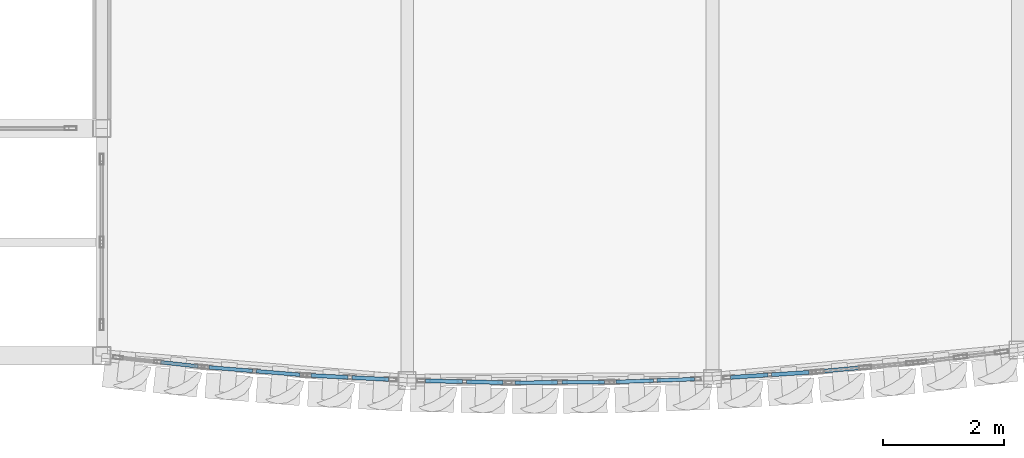
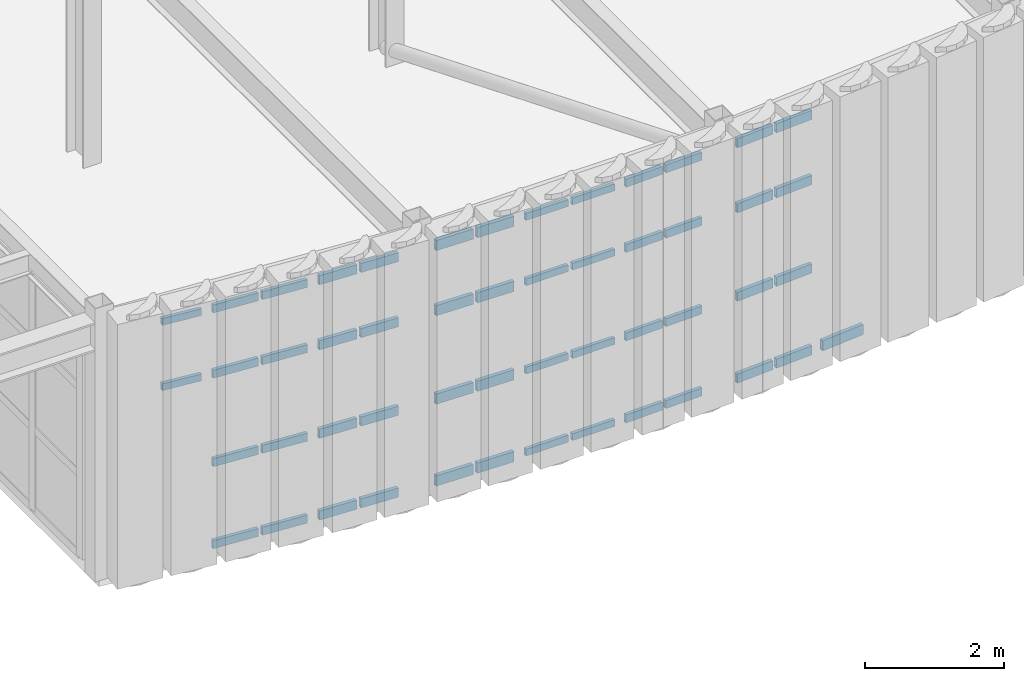
# One storey, part 69 of 121: 51 members, 8 elements without a shape of their own.
"""IFC4 building model written with IfcOpenShell, lengths in metres."""

import ifcopenshell
import ifcopenshell.guid

model = None  # the IFC model being written
_history = None  # IfcOwnerHistory: only IFC2X3 demands one
_inside = {}  # id of a spatial element -> (the spatial element, [elements in it])
_under = {}  # id of a project, library or spatial element -> (it, [spatial elements below it])
_declared = {}  # id of a project -> (the project, [libraries it declares])
_typed = {}  # id of a type object -> (the type object, [elements of that type])
_made_of = {}  # id of a material, layer set ... -> (it, [elements and type objects made of it])


def new_model(schema):
    """Start an empty IFC model of exactly this schema.

    Asked for "IFC4X3", IfcOpenShell would pick the latest addendum, in which some entities
    have other attributes; the version numbers below select the first issue.
    IFC2X3 requires an IfcOwnerHistory on every rooted entity: one is made here for all.
    """
    global model, _history
    if schema == "IFC4X3":
        model = ifcopenshell.file(schema_version=(4, 3, 0, 0))
    else:
        model = ifcopenshell.file(schema=schema)
    _inside.clear()
    _under.clear()
    _declared.clear()
    _typed.clear()
    _made_of.clear()
    _history = None
    if model.schema == "IFC2X3":
        org = make("IfcOrganization", Name="unknown")
        user = make(
            "IfcPersonAndOrganization",
            ThePerson=make("IfcPerson", FamilyName="unknown"),
            TheOrganization=org,
        )
        app = make(
            "IfcApplication",
            ApplicationDeveloper=org,
            Version="unknown",
            ApplicationFullName="unknown",
            ApplicationIdentifier="unknown",
        )
        _history = make(
            "IfcOwnerHistory",
            OwningUser=user,
            OwningApplication=app,
            ChangeAction="ADDED",
            CreationDate=0,
        )
    return model


def make(cls, **values):
    """One entity of the class cls with the attributes given. An attribute that is None is left unset."""
    return model.create_entity(
        cls, **{name: value for name, value in values.items() if value is not None}
    )


def rooted(cls, **values):
    """An entity with a GlobalId (a new one), such as an element, a storey or a relation."""
    return make(cls, GlobalId=ifcopenshell.guid.new(), OwnerHistory=_history, **values)


def si_unit(unit_type, name, prefix=None):
    """IfcSIUnit, for example si_unit("LENGTHUNIT", "METRE", prefix="MILLI")."""
    return make("IfcSIUnit", UnitType=unit_type, Prefix=prefix, Name=name)


def assignment(units):
    """IfcUnitAssignment: the units of a project."""
    return None if units is None else make("IfcUnitAssignment", Units=units)


def point(xyz):
    """IfcCartesianPoint."""
    return None if xyz is None else make("IfcCartesianPoint", Coordinates=xyz)


def direction(xyz):
    """IfcDirection."""
    return None if xyz is None else make("IfcDirection", DirectionRatios=xyz)


def frame(location, z_axis=None, x_axis=None):
    """IfcAxis2Placement3D, a coordinate frame: its origin and axes. An axis left out is left unset."""
    return make(
        "IfcAxis2Placement3D",
        Location=point(location),
        Axis=direction(z_axis),
        RefDirection=direction(x_axis),
    )


def frame_2d(location, x_axis=None):
    """IfcAxis2Placement2D, a coordinate frame in the plane: its origin and x axis."""
    return make(
        "IfcAxis2Placement2D", Location=point(location), RefDirection=direction(x_axis)
    )


def origin():
    """The frame at (0, 0, 0) with its axes left unset."""
    return frame((0.0, 0.0, 0.0))


def origin_2d():
    """The frame at (0, 0) in the plane with its x axis left unset."""
    return frame_2d((0.0, 0.0))


def place(relative_to, where):
    """IfcLocalPlacement: puts the frame where relative to a parent placement (None: the world)."""
    return make(
        "IfcLocalPlacement", PlacementRelTo=relative_to, RelativePlacement=where
    )


def context(
    kind, dimensions, precision=None, world=None, true_north=None, identifier=None
):
    """IfcGeometricRepresentationContext, for example the 3D "Model" context."""
    return make(
        "IfcGeometricRepresentationContext",
        ContextIdentifier=identifier,
        ContextType=kind,
        CoordinateSpaceDimension=dimensions,
        Precision=precision,
        WorldCoordinateSystem=world,
        TrueNorth=true_north,
    )


def subcontext(parent, identifier, kind, view, scale=None):
    """IfcGeometricRepresentationSubContext, for example "Body" below "Model"."""
    return make(
        "IfcGeometricRepresentationSubContext",
        ContextIdentifier=identifier,
        ContextType=kind,
        ParentContext=parent,
        TargetScale=scale,
        TargetView=view,
    )


def project(units=None, contexts=None):
    """IfcProject with its units and contexts."""
    return rooted(
        "IfcProject",
        Name="project",
        RepresentationContexts=contexts,
        UnitsInContext=assignment(units),
    )


def spatial(cls, under=None, at=None, **own):
    """A site, building, storey or space (cls), placed at a placement, below another one or the project."""
    s = rooted(cls, ObjectPlacement=at, **own)
    if under is not None:
        _under.setdefault(under.id(), (under, []))[1].append(s)
    return s


def profile(cls, at=None, kind="AREA", **sizes):
    """A parametric profile (cls). Its sizes go by their IFC names, for example OverallWidth=200.0."""
    return make(cls, ProfileType=kind, Position=at, **sizes)


def hollow_rectangle(**sizes):
    """IfcRectangleHollowProfileDef."""
    return profile("IfcRectangleHollowProfileDef", **sizes)


def extrude(swept, where, along, depth):
    """IfcExtrudedAreaSolid: the profile swept, set in the frame where, extruded along a direction by depth."""
    return make(
        "IfcExtrudedAreaSolid",
        SweptArea=swept,
        Position=where,
        ExtrudedDirection=direction(along),
        Depth=depth,
    )


def shape(context_of_items, identifier, shape_type, items):
    """IfcShapeRepresentation: the items that make up one representation, for example the "Body"."""
    return make(
        "IfcShapeRepresentation",
        ContextOfItems=context_of_items,
        RepresentationIdentifier=identifier,
        RepresentationType=shape_type,
        Items=items,
    )


def material(Name=None, Category=None):
    """IfcMaterial."""
    return make("IfcMaterial", Name=Name, Category=Category)


def layer(
    of_material, thickness, ventilated=None, Name=None, Category=None, Priority=None
):
    """IfcMaterialLayer: one layer of a wall or slab, of a material (None: an air gap)."""
    return make(
        "IfcMaterialLayer",
        Material=of_material,
        LayerThickness=thickness,
        IsVentilated=ventilated,
        Name=Name,
        Category=Category,
        Priority=Priority,
    )


def layer_set(layers, Name=None):
    """IfcMaterialLayerSet."""
    return make("IfcMaterialLayerSet", MaterialLayers=layers, LayerSetName=Name)


def material_profile(
    of_material, cross_section, Name=None, Category=None, Priority=None
):
    """IfcMaterialProfile: a cross section and its material."""
    return make(
        "IfcMaterialProfile",
        Name=Name,
        Material=of_material,
        Profile=cross_section,
        Priority=Priority,
        Category=Category,
    )


def profile_set(profiles, Name=None, composite=None):
    """IfcMaterialProfileSet."""
    return make(
        "IfcMaterialProfileSet",
        Name=Name,
        MaterialProfiles=profiles,
        CompositeProfile=composite,
    )


def made_of(thing, what):
    """Note that an element or type object is made of a material, layer set ...; save() writes the relation."""
    if what is not None:
        _made_of.setdefault(what.id(), (what, []))[1].append(thing)
    return thing


def type_object(cls, material=None, **own):
    """A type object (cls), such as IfcWallType, which elements share."""
    return made_of(rooted(cls, **own), material)


def element(
    cls,
    number,
    at=None,
    inside=None,
    cuts=None,
    type_object=None,
    material=None,
    context=None,
    identifier="Body",
    shape_type=None,
    held_by="IfcProductDefinitionShape",
    body=None,
    shapes=None,
    **own,
):
    """One element of the class cls, such as IfcWall. Its Tag is "e" and its number.

    at: its placement. inside: the storey or other place that contains it. cuts: it is an
    opening in that element (IfcRelVoidsElement). A single representation is given by context,
    identifier, shape_type and body (its items); several are given by shapes. held_by: the class
    of the entity that holds the representations. save() writes the other relations.
    """
    e = rooted(cls, Tag="e%d" % number, ObjectPlacement=at, **own)
    if body is not None:
        shapes = [shape(context, identifier, shape_type, body)]
    if shapes is not None:
        e.Representation = make(held_by, Representations=shapes)
    if inside is not None:
        _inside.setdefault(inside.id(), (inside, []))[1].append(e)
    if cuts is not None:
        rooted(
            "IfcRelVoidsElement", RelatingBuildingElement=cuts, RelatedOpeningElement=e
        )
    if type_object is not None:
        _typed.setdefault(type_object.id(), (type_object, []))[1].append(e)
    return made_of(e, material)


def aggregate(whole, parts):
    """IfcRelAggregates: a whole, such as a stair, and the parts it consists of."""
    return rooted("IfcRelAggregates", RelatingObject=whole, RelatedObjects=parts)


def save(model, path):
    """Write the relations noted so far, then the file.

    IfcRelAggregates (storeys below a building ...), IfcRelContainedInSpatialStructure (elements
    in a storey), IfcRelDefinesByType, IfcRelAssociatesMaterial and IfcRelDeclares: one each for
    every whole, place, type object, material and project.
    """
    for whole, parts in _under.values():
        aggregate(whole, parts)
    for where, things in _inside.values():
        rooted(
            "IfcRelContainedInSpatialStructure",
            RelatedElements=things,
            RelatingStructure=where,
        )
    for kind, things in _typed.values():
        rooted("IfcRelDefinesByType", RelatedObjects=things, RelatingType=kind)
    for what, things in _made_of.values():
        rooted("IfcRelAssociatesMaterial", RelatedObjects=things, RelatingMaterial=what)
    for by, libraries in _declared.values():
        rooted("IfcRelDeclares", RelatingContext=by, RelatedDefinitions=libraries)
    model.write(path)


model = new_model("IFC4")

# Units and contexts
model_context = context("Model", 3, precision=1e-05, world=origin(), true_north=direction((0.0, 1.0)))
body_context = subcontext(model_context, "Body", "Model", "MODEL_VIEW")
ifc_project = project(units=[si_unit("LENGTHUNIT", "METRE"), si_unit("AREAUNIT", "SQUARE_METRE"), si_unit("VOLUMEUNIT", "CUBIC_METRE"), si_unit("PLANEANGLEUNIT", "RADIAN"), si_unit("MASSUNIT", "GRAM", prefix="KILO")], contexts=[model_context])

# Site, building, storey
site_placement = place(None, origin())
site = spatial("IfcSite", under=ifc_project, at=site_placement, CompositionType="ELEMENT")
building_placement = place(site_placement, origin())
building = spatial("IfcBuilding", under=site, at=building_placement, Name="Solvadek Multi-Sports Hall", CompositionType="ELEMENT")
storey_placement = place(building_placement, frame((0.0, 0.0, 4.800048828125)))
storey = spatial("IfcBuildingStorey", under=building, at=storey_placement, Name="L01", CompositionType="ELEMENT", Elevation=4.800048828125)

# Curtain wall, members
ifc_material = material(Name="Anodised aluminium", Category="aluminium")
ifc_layer_1 = layer(ifc_material, 0.159912109375, Name="Anodised aluminium")
ifc_layer_set_1 = layer_set([ifc_layer_1], Name="Anodised aluminium")
curtain_wall_type_1 = type_object("IfcCurtainWallType", Name="ENV-CW-142X420", PredefinedType="USERDEFINED", material=ifc_layer_set_1)
curtain_wall_1_placement = place(storey_placement, origin())
curtain_wall_1 = element("IfcCurtainWall", 1, at=curtain_wall_1_placement, inside=storey, type_object=curtain_wall_type_1, Name="L01 Crescent Curved Curtain Wall #55", ObjectType="CURTAIN WALL", PredefinedType="USERDEFINED")
ifc_material_profile_1 = material_profile(ifc_material, hollow_rectangle(XDim=0.06005859375, YDim=0.1201171875, WallThickness=0.00390625, at=origin_2d()), Name="ALU-T 120x60x4")
ifc_profile_set_1 = profile_set([ifc_material_profile_1], Name="Anodised aluminium")
member_type_1 = type_object("IfcMemberType", Name="ENV-CWT-01", PredefinedType="USERDEFINED", material=ifc_profile_set_1)
member_1_placement = place(storey_placement, frame((87.374267578125, -12.85986328125, 3.02392578125), z_axis=(0.993988937438, -0.109480556501, 0.0), x_axis=(0.109480556501, 0.993988937438, 0.0)))
member_1 = element("IfcMember", 2, at=member_1_placement, type_object=member_type_1, Name="CW-27 transom 2.3", ObjectType="TRANSOM", PredefinedType="USERDEFINED", context=body_context, shape_type="SweptSolid", body=[
    extrude(hollow_rectangle(XDim=0.06005859375, YDim=0.1201171875, WallThickness=0.00390625, at=origin_2d()), origin(), (0.0, 0.0, 1.0), 0.619873046875),
])
member_2_placement = place(storey_placement, frame((87.374267578125, -12.85986328125, 4.169921875), z_axis=(0.993988937438, -0.109480556501, 0.0), x_axis=(0.109480556501, 0.993988937438, 0.0)))
member_2 = element("IfcMember", 3, at=member_2_placement, type_object=member_type_1, Name="CW-27 transom 2.4", ObjectType="TRANSOM", PredefinedType="USERDEFINED", context=body_context, shape_type="SweptSolid", body=[
    extrude(hollow_rectangle(XDim=0.06005859375, YDim=0.1201171875, WallThickness=0.00390625, at=origin_2d()), origin(), (0.0, 0.0, 1.0), 0.619873046875),
])
aggregate(curtain_wall_1, [member_1, member_2])

ifc_layer_2 = layer(ifc_material, 0.159912109375, Name="Anodised aluminium")
ifc_layer_set_2 = layer_set([ifc_layer_2], Name="Anodised aluminium")
curtain_wall_type_2 = type_object("IfcCurtainWallType", Name="ENV-CW-162X420", PredefinedType="USERDEFINED", material=ifc_layer_set_2)
curtain_wall_2_placement = place(storey_placement, origin())
curtain_wall_2 = element("IfcCurtainWall", 4, at=curtain_wall_2_placement, inside=storey, type_object=curtain_wall_type_2, Name="L01 Crescent Curved Curtain Wall #63", ObjectType="CURTAIN WALL", PredefinedType="USERDEFINED")
member_3_placement = place(storey_placement, frame((93.219970703125, -13.197265625, 0.030029296875), z_axis=(0.999982675441, 0.005886324613, 0.0), x_axis=(-0.005886324613, 0.999982675441, 0.0)))
member_3 = element("IfcMember", 5, at=member_3_placement, type_object=member_type_1, Name="CW-29 transom 1.1", ObjectType="TRANSOM", PredefinedType="USERDEFINED", context=body_context, shape_type="SweptSolid", body=[
    extrude(hollow_rectangle(XDim=0.06005859375, YDim=0.1201171875, WallThickness=0.00390625, at=origin_2d()), origin(), (0.0, 0.0, 1.0), 0.705078125),
])
member_4_placement = place(storey_placement, frame((93.219970703125, -13.197265625, 1.469970703125), z_axis=(0.999982675441, 0.005886324613, 0.0), x_axis=(-0.005886324613, 0.999982675441, 0.0)))
member_4 = element("IfcMember", 6, at=member_4_placement, type_object=member_type_1, Name="CW-29 transom 1.2", ObjectType="TRANSOM", PredefinedType="USERDEFINED", context=body_context, shape_type="SweptSolid", body=[
    extrude(hollow_rectangle(XDim=0.06005859375, YDim=0.1201171875, WallThickness=0.00390625, at=origin_2d()), origin(), (0.0, 0.0, 1.0), 0.705078125),
])
member_5_placement = place(storey_placement, frame((93.219970703125, -13.197265625, 3.02392578125), z_axis=(0.999982675441, 0.005886324613, 0.0), x_axis=(-0.005886324613, 0.999982675441, 0.0)))
member_5 = element("IfcMember", 7, at=member_5_placement, type_object=member_type_1, Name="CW-29 transom 1.3", ObjectType="TRANSOM", PredefinedType="USERDEFINED", context=body_context, shape_type="SweptSolid", body=[
    extrude(hollow_rectangle(XDim=0.06005859375, YDim=0.1201171875, WallThickness=0.00390625, at=origin_2d()), origin(), (0.0, 0.0, 1.0), 0.705078125),
])
member_6_placement = place(storey_placement, frame((93.219970703125, -13.197265625, 4.169921875), z_axis=(0.999982675441, 0.005886324613, 0.0), x_axis=(-0.005886324613, 0.999982675441, 0.0)))
member_6 = element("IfcMember", 8, at=member_6_placement, type_object=member_type_1, Name="CW-29 transom 1.4", ObjectType="TRANSOM", PredefinedType="USERDEFINED", context=body_context, shape_type="SweptSolid", body=[
    extrude(hollow_rectangle(XDim=0.06005859375, YDim=0.1201171875, WallThickness=0.00390625, at=origin_2d()), origin(), (0.0, 0.0, 1.0), 0.705078125),
])
member_7_placement = place(storey_placement, frame((93.9951171875, -13.192626953125, 0.030029296875), z_axis=(0.999980563915, 0.00623472468, 0.0), x_axis=(-0.00623472468, 0.999980563915, 0.0)))
member_7 = element("IfcMember", 9, at=member_7_placement, type_object=member_type_1, Name="CW-29 transom 2.1", ObjectType="TRANSOM", PredefinedType="USERDEFINED", context=body_context, shape_type="SweptSolid", body=[
    extrude(hollow_rectangle(XDim=0.06005859375, YDim=0.1201171875, WallThickness=0.00390625, at=origin_2d()), origin(), (0.0, 0.0, 1.0), 0.704833984375),
])
member_8_placement = place(storey_placement, frame((93.9951171875, -13.192626953125, 1.469970703125), z_axis=(0.999980563915, 0.00623472468, 0.0), x_axis=(-0.00623472468, 0.999980563915, 0.0)))
member_8 = element("IfcMember", 10, at=member_8_placement, type_object=member_type_1, Name="CW-29 transom 2.2", ObjectType="TRANSOM", PredefinedType="USERDEFINED", context=body_context, shape_type="SweptSolid", body=[
    extrude(hollow_rectangle(XDim=0.06005859375, YDim=0.1201171875, WallThickness=0.00390625, at=origin_2d()), origin(), (0.0, 0.0, 1.0), 0.704833984375),
])
member_9_placement = place(storey_placement, frame((93.9951171875, -13.192626953125, 3.02392578125), z_axis=(0.999980563915, 0.00623472468, 0.0), x_axis=(-0.00623472468, 0.999980563915, 0.0)))
member_9 = element("IfcMember", 11, at=member_9_placement, type_object=member_type_1, Name="CW-29 transom 2.3", ObjectType="TRANSOM", PredefinedType="USERDEFINED", context=body_context, shape_type="SweptSolid", body=[
    extrude(hollow_rectangle(XDim=0.06005859375, YDim=0.1201171875, WallThickness=0.00390625, at=origin_2d()), origin(), (0.0, 0.0, 1.0), 0.704833984375),
])
member_10_placement = place(storey_placement, frame((93.9951171875, -13.192626953125, 4.169921875), z_axis=(0.999980563915, 0.00623472468, 0.0), x_axis=(-0.00623472468, 0.999980563915, 0.0)))
member_10 = element("IfcMember", 12, at=member_10_placement, type_object=member_type_1, Name="CW-29 transom 2.4", ObjectType="TRANSOM", PredefinedType="USERDEFINED", context=body_context, shape_type="SweptSolid", body=[
    extrude(hollow_rectangle(XDim=0.06005859375, YDim=0.1201171875, WallThickness=0.00390625, at=origin_2d()), origin(), (0.0, 0.0, 1.0), 0.704833984375),
])
aggregate(curtain_wall_2, [member_3, member_4, member_5, member_6, member_7, member_8, member_9, member_10])

ifc_layer_3 = layer(ifc_material, 0.159912109375, Name="Anodised aluminium")
ifc_layer_set_3 = layer_set([ifc_layer_3], Name="Anodised aluminium")
curtain_wall_type_3 = type_object("IfcCurtainWallType", Name="ENV-CW-163X420", PredefinedType="USERDEFINED", material=ifc_layer_set_3)
curtain_wall_3_placement = place(storey_placement, origin())
curtain_wall_3 = element("IfcCurtainWall", 13, at=curtain_wall_3_placement, inside=storey, type_object=curtain_wall_type_3, Name="L01 Crescent Curved Curtain Wall #57", ObjectType="CURTAIN WALL", PredefinedType="USERDEFINED")
ifc_material_profile_2 = material_profile(ifc_material, hollow_rectangle(XDim=0.06005859375, YDim=0.139892578125, WallThickness=0.00390625, at=origin_2d()), Name="ALU-T 140x60x4")
ifc_profile_set_2 = profile_set([ifc_material_profile_2], Name="Anodised aluminium")
member_type_2 = type_object("IfcMemberType", Name="ENV-CWT-02", PredefinedType="USERDEFINED", material=ifc_profile_set_2)
member_11_placement = place(storey_placement, frame((88.169677734375, -12.94482421875, 0.030029296875), z_axis=(0.996763518487, -0.080389602643, 0.0), x_axis=(0.080389602643, 0.996763518487, 0.0)))
member_11 = element("IfcMember", 14, at=member_11_placement, type_object=member_type_2, Name="CW-15 transom 1.1", ObjectType="TRANSOM", PredefinedType="USERDEFINED", context=body_context, shape_type="SweptSolid", body=[
    extrude(hollow_rectangle(XDim=0.06005859375, YDim=0.139892578125, WallThickness=0.00390625, at=origin_2d()), origin(), (0.0, 0.0, 1.0), 0.722900390625),
])
member_12_placement = place(storey_placement, frame((88.169677734375, -12.94482421875, 1.469970703125), z_axis=(0.996763518487, -0.080389602643, 0.0), x_axis=(0.080389602643, 0.996763518487, 0.0)))
member_12 = element("IfcMember", 15, at=member_12_placement, type_object=member_type_2, Name="CW-15 transom 1.2", ObjectType="TRANSOM", PredefinedType="USERDEFINED", context=body_context, shape_type="SweptSolid", body=[
    extrude(hollow_rectangle(XDim=0.06005859375, YDim=0.139892578125, WallThickness=0.00390625, at=origin_2d()), origin(), (0.0, 0.0, 1.0), 0.722900390625),
])
member_13_placement = place(storey_placement, frame((88.169677734375, -12.94482421875, 3.02392578125), z_axis=(0.996763518487, -0.080389602643, 0.0), x_axis=(0.080389602643, 0.996763518487, 0.0)))
member_13 = element("IfcMember", 16, at=member_13_placement, type_object=member_type_2, Name="CW-15 transom 1.3", ObjectType="TRANSOM", PredefinedType="USERDEFINED", context=body_context, shape_type="SweptSolid", body=[
    extrude(hollow_rectangle(XDim=0.06005859375, YDim=0.139892578125, WallThickness=0.00390625, at=origin_2d()), origin(), (0.0, 0.0, 1.0), 0.722900390625),
])
member_14_placement = place(storey_placement, frame((88.169677734375, -12.94482421875, 4.169921875), z_axis=(0.996763518487, -0.080389602643, 0.0), x_axis=(0.080389602643, 0.996763518487, 0.0)))
member_14 = element("IfcMember", 17, at=member_14_placement, type_object=member_type_2, Name="CW-15 transom 1.4", ObjectType="TRANSOM", PredefinedType="USERDEFINED", context=body_context, shape_type="SweptSolid", body=[
    extrude(hollow_rectangle(XDim=0.06005859375, YDim=0.139892578125, WallThickness=0.00390625, at=origin_2d()), origin(), (0.0, 0.0, 1.0), 0.722900390625),
])
member_15_placement = place(storey_placement, frame((88.949951171875, -13.0078125, 0.030029296875), z_axis=(0.996763518487, -0.080389602643, 0.0), x_axis=(0.080389602643, 0.996763518487, 0.0)))
member_15 = element("IfcMember", 18, at=member_15_placement, type_object=member_type_2, Name="CW-15 transom 2.1", ObjectType="TRANSOM", PredefinedType="USERDEFINED", context=body_context, shape_type="SweptSolid", body=[
    extrude(hollow_rectangle(XDim=0.06005859375, YDim=0.139892578125, WallThickness=0.00390625, at=origin_2d()), origin(), (0.0, 0.0, 1.0), 0.722900390625),
])
member_16_placement = place(storey_placement, frame((88.949951171875, -13.0078125, 1.469970703125), z_axis=(0.996763518487, -0.080389602643, 0.0), x_axis=(0.080389602643, 0.996763518487, 0.0)))
member_16 = element("IfcMember", 19, at=member_16_placement, type_object=member_type_2, Name="CW-15 transom 2.2", ObjectType="TRANSOM", PredefinedType="USERDEFINED", context=body_context, shape_type="SweptSolid", body=[
    extrude(hollow_rectangle(XDim=0.06005859375, YDim=0.139892578125, WallThickness=0.00390625, at=origin_2d()), origin(), (0.0, 0.0, 1.0), 0.722900390625),
])
member_17_placement = place(storey_placement, frame((88.949951171875, -13.0078125, 3.02392578125), z_axis=(0.996763518487, -0.080389602643, 0.0), x_axis=(0.080389602643, 0.996763518487, 0.0)))
member_17 = element("IfcMember", 20, at=member_17_placement, type_object=member_type_2, Name="CW-15 transom 2.3", ObjectType="TRANSOM", PredefinedType="USERDEFINED", context=body_context, shape_type="SweptSolid", body=[
    extrude(hollow_rectangle(XDim=0.06005859375, YDim=0.139892578125, WallThickness=0.00390625, at=origin_2d()), origin(), (0.0, 0.0, 1.0), 0.722900390625),
])
member_18_placement = place(storey_placement, frame((88.949951171875, -13.0078125, 4.169921875), z_axis=(0.996763518487, -0.080389602643, 0.0), x_axis=(0.080389602643, 0.996763518487, 0.0)))
member_18 = element("IfcMember", 21, at=member_18_placement, type_object=member_type_2, Name="CW-15 transom 2.4", ObjectType="TRANSOM", PredefinedType="USERDEFINED", context=body_context, shape_type="SweptSolid", body=[
    extrude(hollow_rectangle(XDim=0.06005859375, YDim=0.139892578125, WallThickness=0.00390625, at=origin_2d()), origin(), (0.0, 0.0, 1.0), 0.722900390625),
])
aggregate(curtain_wall_3, [member_11, member_12, member_13, member_14, member_15, member_16, member_17, member_18])

ifc_layer_4 = layer(ifc_material, 0.159912109375, Name="Anodised aluminium")
ifc_layer_set_4 = layer_set([ifc_layer_4], Name="Anodised aluminium")
curtain_wall_type_4 = type_object("IfcCurtainWallType", Name="ENV-CW-141X420", PredefinedType="USERDEFINED", material=ifc_layer_set_4)
curtain_wall_4_placement = place(storey_placement, origin())
curtain_wall_4 = element("IfcCurtainWall", 22, at=curtain_wall_4_placement, inside=storey, type_object=curtain_wall_type_4, Name="L01 Crescent Curved Curtain Wall #65", ObjectType="CURTAIN WALL", PredefinedType="USERDEFINED")
member_19_placement = place(storey_placement, frame((94.889892578125, -13.184326171875, 0.030029296875), z_axis=(0.99939083171, 0.034899362377, 0.0), x_axis=(-0.034899362377, 0.99939083171, 0.0)))
member_19 = element("IfcMember", 23, at=member_19_placement, type_object=member_type_2, Name="CW-28 transom 1.1", ObjectType="TRANSOM", PredefinedType="USERDEFINED", context=body_context, shape_type="SweptSolid", body=[
    extrude(hollow_rectangle(XDim=0.06005859375, YDim=0.139892578125, WallThickness=0.00390625, at=origin_2d()), origin(), (0.0, 0.0, 1.0), 0.61572265625),
])
member_20_placement = place(storey_placement, frame((94.889892578125, -13.184326171875, 1.469970703125), z_axis=(0.99939083171, 0.034899362377, 0.0), x_axis=(-0.034899362377, 0.99939083171, 0.0)))
member_20 = element("IfcMember", 24, at=member_20_placement, type_object=member_type_2, Name="CW-28 transom 1.2", ObjectType="TRANSOM", PredefinedType="USERDEFINED", context=body_context, shape_type="SweptSolid", body=[
    extrude(hollow_rectangle(XDim=0.06005859375, YDim=0.139892578125, WallThickness=0.00390625, at=origin_2d()), origin(), (0.0, 0.0, 1.0), 0.61572265625),
])
member_21_placement = place(storey_placement, frame((94.889892578125, -13.184326171875, 3.02392578125), z_axis=(0.99939083171, 0.034899362377, 0.0), x_axis=(-0.034899362377, 0.99939083171, 0.0)))
member_21 = element("IfcMember", 25, at=member_21_placement, type_object=member_type_2, Name="CW-28 transom 1.3", ObjectType="TRANSOM", PredefinedType="USERDEFINED", context=body_context, shape_type="SweptSolid", body=[
    extrude(hollow_rectangle(XDim=0.06005859375, YDim=0.139892578125, WallThickness=0.00390625, at=origin_2d()), origin(), (0.0, 0.0, 1.0), 0.61572265625),
])
member_22_placement = place(storey_placement, frame((94.889892578125, -13.184326171875, 4.169921875), z_axis=(0.99939083171, 0.034899362377, 0.0), x_axis=(-0.034899362377, 0.99939083171, 0.0)))
member_22 = element("IfcMember", 26, at=member_22_placement, type_object=member_type_2, Name="CW-28 transom 1.4", ObjectType="TRANSOM", PredefinedType="USERDEFINED", context=body_context, shape_type="SweptSolid", body=[
    extrude(hollow_rectangle(XDim=0.06005859375, YDim=0.139892578125, WallThickness=0.00390625, at=origin_2d()), origin(), (0.0, 0.0, 1.0), 0.61572265625),
])
member_23_placement = place(storey_placement, frame((95.56494140625, -13.16064453125, 0.030029296875), z_axis=(0.99939083171, 0.034899362377, 0.0), x_axis=(-0.034899362377, 0.99939083171, 0.0)))
member_23 = element("IfcMember", 27, at=member_23_placement, type_object=member_type_2, Name="CW-28 transom 2.1", ObjectType="TRANSOM", PredefinedType="USERDEFINED", context=body_context, shape_type="SweptSolid", body=[
    extrude(hollow_rectangle(XDim=0.06005859375, YDim=0.139892578125, WallThickness=0.00390625, at=origin_2d()), origin(), (0.0, 0.0, 1.0), 0.61572265625),
])
member_24_placement = place(storey_placement, frame((95.56494140625, -13.16064453125, 1.469970703125), z_axis=(0.99939083171, 0.034899362377, 0.0), x_axis=(-0.034899362377, 0.99939083171, 0.0)))
member_24 = element("IfcMember", 28, at=member_24_placement, type_object=member_type_2, Name="CW-28 transom 2.2", ObjectType="TRANSOM", PredefinedType="USERDEFINED", context=body_context, shape_type="SweptSolid", body=[
    extrude(hollow_rectangle(XDim=0.06005859375, YDim=0.139892578125, WallThickness=0.00390625, at=origin_2d()), origin(), (0.0, 0.0, 1.0), 0.61572265625),
])
member_25_placement = place(storey_placement, frame((95.56494140625, -13.16064453125, 3.02392578125), z_axis=(0.99939083171, 0.034899362377, 0.0), x_axis=(-0.034899362377, 0.99939083171, 0.0)))
member_25 = element("IfcMember", 29, at=member_25_placement, type_object=member_type_2, Name="CW-28 transom 2.3", ObjectType="TRANSOM", PredefinedType="USERDEFINED", context=body_context, shape_type="SweptSolid", body=[
    extrude(hollow_rectangle(XDim=0.06005859375, YDim=0.139892578125, WallThickness=0.00390625, at=origin_2d()), origin(), (0.0, 0.0, 1.0), 0.61572265625),
])
member_26_placement = place(storey_placement, frame((95.56494140625, -13.16064453125, 4.169921875), z_axis=(0.99939083171, 0.034899362377, 0.0), x_axis=(-0.034899362377, 0.99939083171, 0.0)))
member_26 = element("IfcMember", 30, at=member_26_placement, type_object=member_type_2, Name="CW-28 transom 2.4", ObjectType="TRANSOM", PredefinedType="USERDEFINED", context=body_context, shape_type="SweptSolid", body=[
    extrude(hollow_rectangle(XDim=0.06005859375, YDim=0.139892578125, WallThickness=0.00390625, at=origin_2d()), origin(), (0.0, 0.0, 1.0), 0.61572265625),
])
aggregate(curtain_wall_4, [member_19, member_20, member_21, member_22, member_23, member_24, member_25, member_26])

curtain_wall_5_placement = place(storey_placement, origin())
curtain_wall_5 = element("IfcCurtainWall", 31, at=curtain_wall_5_placement, inside=storey, type_object=curtain_wall_type_4, Name="L01 Crescent Curved Curtain Wall #59", ObjectType="CURTAIN WALL", PredefinedType="USERDEFINED")
ifc_material_profile_3 = material_profile(ifc_material, hollow_rectangle(XDim=0.06494140625, YDim=0.159912109375, WallThickness=0.00390625, at=origin_2d()), Name="ALU-T 160x65x4")
ifc_profile_set_3 = profile_set([ifc_material_profile_3], Name="Anodised aluminium")
member_type_3 = type_object("IfcMemberType", Name="ENV-CWT-03", PredefinedType="USERDEFINED", material=ifc_profile_set_3)
member_27_placement = place(storey_placement, frame((89.85498046875, -13.078125, 0.032470703125), z_axis=(0.99868028616, -0.051358407645, 0.0), x_axis=(0.051358407645, 0.99868028616, 0.0)))
member_27 = element("IfcMember", 32, at=member_27_placement, type_object=member_type_3, Name="CW-28 transom 1.1", ObjectType="TRANSOM", PredefinedType="USERDEFINED", context=body_context, shape_type="SweptSolid", body=[
    extrude(hollow_rectangle(XDim=0.06494140625, YDim=0.159912109375, WallThickness=0.00390625, at=origin_2d()), origin(), (0.0, 0.0, 1.0), 0.6083984375),
])
member_28_placement = place(storey_placement, frame((89.85498046875, -13.078125, 1.469970703125), z_axis=(0.99868028616, -0.051358407645, 0.0), x_axis=(0.051358407645, 0.99868028616, 0.0)))
member_28 = element("IfcMember", 33, at=member_28_placement, type_object=member_type_3, Name="CW-28 transom 1.2", ObjectType="TRANSOM", PredefinedType="USERDEFINED", context=body_context, shape_type="SweptSolid", body=[
    extrude(hollow_rectangle(XDim=0.06494140625, YDim=0.159912109375, WallThickness=0.00390625, at=origin_2d()), origin(), (0.0, 0.0, 1.0), 0.6083984375),
])
member_29_placement = place(storey_placement, frame((89.85498046875, -13.078125, 3.02392578125), z_axis=(0.99868028616, -0.051358407645, 0.0), x_axis=(0.051358407645, 0.99868028616, 0.0)))
member_29 = element("IfcMember", 34, at=member_29_placement, type_object=member_type_3, Name="CW-28 transom 1.3", ObjectType="TRANSOM", PredefinedType="USERDEFINED", context=body_context, shape_type="SweptSolid", body=[
    extrude(hollow_rectangle(XDim=0.06494140625, YDim=0.159912109375, WallThickness=0.00390625, at=origin_2d()), origin(), (0.0, 0.0, 1.0), 0.6083984375),
])
member_30_placement = place(storey_placement, frame((89.85498046875, -13.078125, 4.16748046875), z_axis=(0.99868028616, -0.051358407645, 0.0), x_axis=(0.051358407645, 0.99868028616, 0.0)))
member_30 = element("IfcMember", 35, at=member_30_placement, type_object=member_type_3, Name="CW-28 transom 1.4", ObjectType="TRANSOM", PredefinedType="USERDEFINED", context=body_context, shape_type="SweptSolid", body=[
    extrude(hollow_rectangle(XDim=0.06494140625, YDim=0.159912109375, WallThickness=0.00390625, at=origin_2d()), origin(), (0.0, 0.0, 1.0), 0.6083984375),
])
member_31_placement = place(storey_placement, frame((90.527587890625, -13.11279296875, 0.032470703125), z_axis=(0.998681343863, -0.05133783615, 0.0), x_axis=(0.05133783615, 0.998681343863, 0.0)))
member_31 = element("IfcMember", 36, at=member_31_placement, type_object=member_type_3, Name="CW-28 transom 2.1", ObjectType="TRANSOM", PredefinedType="USERDEFINED", context=body_context, shape_type="SweptSolid", body=[
    extrude(hollow_rectangle(XDim=0.06494140625, YDim=0.159912109375, WallThickness=0.00390625, at=origin_2d()), origin(), (0.0, 0.0, 1.0), 0.608642578125),
])
member_32_placement = place(storey_placement, frame((90.527587890625, -13.11279296875, 1.469970703125), z_axis=(0.998681343863, -0.05133783615, 0.0), x_axis=(0.05133783615, 0.998681343863, 0.0)))
member_32 = element("IfcMember", 37, at=member_32_placement, type_object=member_type_3, Name="CW-28 transom 2.2", ObjectType="TRANSOM", PredefinedType="USERDEFINED", context=body_context, shape_type="SweptSolid", body=[
    extrude(hollow_rectangle(XDim=0.06494140625, YDim=0.159912109375, WallThickness=0.00390625, at=origin_2d()), origin(), (0.0, 0.0, 1.0), 0.608642578125),
])
member_33_placement = place(storey_placement, frame((90.527587890625, -13.11279296875, 3.02392578125), z_axis=(0.998681343863, -0.05133783615, 0.0), x_axis=(0.05133783615, 0.998681343863, 0.0)))
member_33 = element("IfcMember", 38, at=member_33_placement, type_object=member_type_3, Name="CW-28 transom 2.3", ObjectType="TRANSOM", PredefinedType="USERDEFINED", context=body_context, shape_type="SweptSolid", body=[
    extrude(hollow_rectangle(XDim=0.06494140625, YDim=0.159912109375, WallThickness=0.00390625, at=origin_2d()), origin(), (0.0, 0.0, 1.0), 0.608642578125),
])
member_34_placement = place(storey_placement, frame((90.527587890625, -13.11279296875, 4.16748046875), z_axis=(0.998681343863, -0.05133783615, 0.0), x_axis=(0.05133783615, 0.998681343863, 0.0)))
member_34 = element("IfcMember", 39, at=member_34_placement, type_object=member_type_3, Name="CW-28 transom 2.4", ObjectType="TRANSOM", PredefinedType="USERDEFINED", context=body_context, shape_type="SweptSolid", body=[
    extrude(hollow_rectangle(XDim=0.06494140625, YDim=0.159912109375, WallThickness=0.00390625, at=origin_2d()), origin(), (0.0, 0.0, 1.0), 0.608642578125),
])
aggregate(curtain_wall_5, [member_27, member_28, member_29, member_30, member_31, member_32, member_33, member_34])

curtain_wall_6_placement = place(storey_placement, origin())
curtain_wall_6 = element("IfcCurtainWall", 40, at=curtain_wall_6_placement, inside=storey, type_object=curtain_wall_type_4, Name="L01 Crescent Curved Curtain Wall #67", ObjectType="CURTAIN WALL", PredefinedType="USERDEFINED")
member_35_placement = place(storey_placement, frame((96.779296875, -13.109619140625, 0.032470703125), z_axis=(0.997941684913, 0.064127946432, 0.0), x_axis=(-0.064127946432, 0.997941684913, 0.0)))
member_35 = element("IfcMember", 41, at=member_35_placement, type_object=member_type_3, Name="CW-28 transom 1.1", ObjectType="TRANSOM", PredefinedType="USERDEFINED", context=body_context, shape_type="SweptSolid", body=[
    extrude(hollow_rectangle(XDim=0.06494140625, YDim=0.159912109375, WallThickness=0.00390625, at=origin_2d()), origin(), (0.0, 0.0, 1.0), 0.61669921875),
])
member_36_placement = place(storey_placement, frame((96.779296875, -13.109619140625, 1.469970703125), z_axis=(0.997941684913, 0.064127946432, 0.0), x_axis=(-0.064127946432, 0.997941684913, 0.0)))
member_36 = element("IfcMember", 42, at=member_36_placement, type_object=member_type_3, Name="CW-28 transom 1.2", ObjectType="TRANSOM", PredefinedType="USERDEFINED", context=body_context, shape_type="SweptSolid", body=[
    extrude(hollow_rectangle(XDim=0.06494140625, YDim=0.159912109375, WallThickness=0.00390625, at=origin_2d()), origin(), (0.0, 0.0, 1.0), 0.61669921875),
])
member_37_placement = place(storey_placement, frame((96.779296875, -13.109619140625, 3.02392578125), z_axis=(0.997941684913, 0.064127946432, 0.0), x_axis=(-0.064127946432, 0.997941684913, 0.0)))
member_37 = element("IfcMember", 43, at=member_37_placement, type_object=member_type_3, Name="CW-28 transom 1.3", ObjectType="TRANSOM", PredefinedType="USERDEFINED", context=body_context, shape_type="SweptSolid", body=[
    extrude(hollow_rectangle(XDim=0.06494140625, YDim=0.159912109375, WallThickness=0.00390625, at=origin_2d()), origin(), (0.0, 0.0, 1.0), 0.61669921875),
])
member_38_placement = place(storey_placement, frame((96.779296875, -13.109619140625, 4.16748046875), z_axis=(0.997941684913, 0.064127946432, 0.0), x_axis=(-0.064127946432, 0.997941684913, 0.0)))
member_38 = element("IfcMember", 44, at=member_38_placement, type_object=member_type_3, Name="CW-28 transom 1.4", ObjectType="TRANSOM", PredefinedType="USERDEFINED", context=body_context, shape_type="SweptSolid", body=[
    extrude(hollow_rectangle(XDim=0.06494140625, YDim=0.159912109375, WallThickness=0.00390625, at=origin_2d()), origin(), (0.0, 0.0, 1.0), 0.61669921875),
])
member_39_placement = place(storey_placement, frame((97.454833984375, -13.066162109375, 0.032470703125), z_axis=(0.997966940578, 0.063733707827, 0.0), x_axis=(-0.063733707827, 0.997966940578, 0.0)))
member_39 = element("IfcMember", 45, at=member_39_placement, type_object=member_type_3, Name="CW-28 transom 2.1", ObjectType="TRANSOM", PredefinedType="USERDEFINED", context=body_context, shape_type="SweptSolid", body=[
    extrude(hollow_rectangle(XDim=0.06494140625, YDim=0.159912109375, WallThickness=0.00390625, at=origin_2d()), origin(), (0.0, 0.0, 1.0), 0.61669921875),
])
member_40_placement = place(storey_placement, frame((97.454833984375, -13.066162109375, 1.469970703125), z_axis=(0.997966940578, 0.063733707827, 0.0), x_axis=(-0.063733707827, 0.997966940578, 0.0)))
member_40 = element("IfcMember", 46, at=member_40_placement, type_object=member_type_3, Name="CW-28 transom 2.2", ObjectType="TRANSOM", PredefinedType="USERDEFINED", context=body_context, shape_type="SweptSolid", body=[
    extrude(hollow_rectangle(XDim=0.06494140625, YDim=0.159912109375, WallThickness=0.00390625, at=origin_2d()), origin(), (0.0, 0.0, 1.0), 0.61669921875),
])
member_41_placement = place(storey_placement, frame((97.454833984375, -13.066162109375, 3.02392578125), z_axis=(0.997966940578, 0.063733707827, 0.0), x_axis=(-0.063733707827, 0.997966940578, 0.0)))
member_41 = element("IfcMember", 47, at=member_41_placement, type_object=member_type_3, Name="CW-28 transom 2.3", ObjectType="TRANSOM", PredefinedType="USERDEFINED", context=body_context, shape_type="SweptSolid", body=[
    extrude(hollow_rectangle(XDim=0.06494140625, YDim=0.159912109375, WallThickness=0.00390625, at=origin_2d()), origin(), (0.0, 0.0, 1.0), 0.61669921875),
])
member_42_placement = place(storey_placement, frame((97.454833984375, -13.066162109375, 4.16748046875), z_axis=(0.997966940578, 0.063733707827, 0.0), x_axis=(-0.063733707827, 0.997966940578, 0.0)))
member_42 = element("IfcMember", 48, at=member_42_placement, type_object=member_type_3, Name="CW-28 transom 2.4", ObjectType="TRANSOM", PredefinedType="USERDEFINED", context=body_context, shape_type="SweptSolid", body=[
    extrude(hollow_rectangle(XDim=0.06494140625, YDim=0.159912109375, WallThickness=0.00390625, at=origin_2d()), origin(), (0.0, 0.0, 1.0), 0.61669921875),
])
aggregate(curtain_wall_6, [member_35, member_36, member_37, member_38, member_39, member_40, member_41, member_42])

curtain_wall_7_placement = place(storey_placement, origin())
curtain_wall_7 = element("IfcCurtainWall", 49, at=curtain_wall_7_placement, inside=storey, type_object=curtain_wall_type_4, Name="L01 Crescent Curved Curtain Wall #61", ObjectType="CURTAIN WALL", PredefinedType="USERDEFINED")
ifc_material_profile_4 = material_profile(ifc_material, hollow_rectangle(XDim=0.06494140625, YDim=0.179931640625, WallThickness=0.0048828125, at=origin_2d()), Name="ALU-T 180x65x5")
ifc_profile_set_4 = profile_set([ifc_material_profile_4], Name="Anodised aluminium")
member_type_4 = type_object("IfcMemberType", Name="ENV-CWT-04", PredefinedType="USERDEFINED", material=ifc_profile_set_4)
member_43_placement = place(storey_placement, frame((91.744873046875, -13.166748046875, 0.032470703125), z_axis=(0.999737880615, -0.022894760625, 0.0), x_axis=(0.022894760625, 0.999737880615, 0.0)))
member_43 = element("IfcMember", 50, at=member_43_placement, type_object=member_type_4, Name="CW-28 transom 1.1", ObjectType="TRANSOM", PredefinedType="USERDEFINED", context=body_context, shape_type="SweptSolid", body=[
    extrude(hollow_rectangle(XDim=0.06494140625, YDim=0.179931640625, WallThickness=0.0048828125, at=origin_2d()), origin(), (0.0, 0.0, 1.0), 0.60791015625),
])
member_44_placement = place(storey_placement, frame((91.744873046875, -13.166748046875, 1.469970703125), z_axis=(0.999737880615, -0.022894760625, 0.0), x_axis=(0.022894760625, 0.999737880615, 0.0)))
member_44 = element("IfcMember", 51, at=member_44_placement, type_object=member_type_4, Name="CW-28 transom 1.2", ObjectType="TRANSOM", PredefinedType="USERDEFINED", context=body_context, shape_type="SweptSolid", body=[
    extrude(hollow_rectangle(XDim=0.06494140625, YDim=0.179931640625, WallThickness=0.0048828125, at=origin_2d()), origin(), (0.0, 0.0, 1.0), 0.60791015625),
])
member_45_placement = place(storey_placement, frame((91.744873046875, -13.166748046875, 3.02392578125), z_axis=(0.999737880615, -0.022894760625, 0.0), x_axis=(0.022894760625, 0.999737880615, 0.0)))
member_45 = element("IfcMember", 52, at=member_45_placement, type_object=member_type_4, Name="CW-28 transom 1.3", ObjectType="TRANSOM", PredefinedType="USERDEFINED", context=body_context, shape_type="SweptSolid", body=[
    extrude(hollow_rectangle(XDim=0.06494140625, YDim=0.179931640625, WallThickness=0.0048828125, at=origin_2d()), origin(), (0.0, 0.0, 1.0), 0.60791015625),
])
member_46_placement = place(storey_placement, frame((91.744873046875, -13.166748046875, 4.16748046875), z_axis=(0.999737880615, -0.022894760625, 0.0), x_axis=(0.022894760625, 0.999737880615, 0.0)))
member_46 = element("IfcMember", 53, at=member_46_placement, type_object=member_type_4, Name="CW-28 transom 1.4", ObjectType="TRANSOM", PredefinedType="USERDEFINED", context=body_context, shape_type="SweptSolid", body=[
    extrude(hollow_rectangle(XDim=0.06494140625, YDim=0.179931640625, WallThickness=0.0048828125, at=origin_2d()), origin(), (0.0, 0.0, 1.0), 0.60791015625),
])
member_47_placement = place(storey_placement, frame((92.41748046875, -13.18212890625, 0.032470703125), z_axis=(0.999746790305, -0.022502339332, 0.0), x_axis=(0.022502339332, 0.999746790305, 0.0)))
member_47 = element("IfcMember", 54, at=member_47_placement, type_object=member_type_4, Name="CW-28 transom 2.1", ObjectType="TRANSOM", PredefinedType="USERDEFINED", context=body_context, shape_type="SweptSolid", body=[
    extrude(hollow_rectangle(XDim=0.06494140625, YDim=0.179931640625, WallThickness=0.0048828125, at=origin_2d()), origin(), (0.0, 0.0, 1.0), 0.607666015625),
])
member_48_placement = place(storey_placement, frame((92.41748046875, -13.18212890625, 1.469970703125), z_axis=(0.999746790305, -0.022502339332, 0.0), x_axis=(0.022502339332, 0.999746790305, 0.0)))
member_48 = element("IfcMember", 55, at=member_48_placement, type_object=member_type_4, Name="CW-28 transom 2.2", ObjectType="TRANSOM", PredefinedType="USERDEFINED", context=body_context, shape_type="SweptSolid", body=[
    extrude(hollow_rectangle(XDim=0.06494140625, YDim=0.179931640625, WallThickness=0.0048828125, at=origin_2d()), origin(), (0.0, 0.0, 1.0), 0.607666015625),
])
member_49_placement = place(storey_placement, frame((92.41748046875, -13.18212890625, 3.02392578125), z_axis=(0.999746790305, -0.022502339332, 0.0), x_axis=(0.022502339332, 0.999746790305, 0.0)))
member_49 = element("IfcMember", 56, at=member_49_placement, type_object=member_type_4, Name="CW-28 transom 2.3", ObjectType="TRANSOM", PredefinedType="USERDEFINED", context=body_context, shape_type="SweptSolid", body=[
    extrude(hollow_rectangle(XDim=0.06494140625, YDim=0.179931640625, WallThickness=0.0048828125, at=origin_2d()), origin(), (0.0, 0.0, 1.0), 0.607666015625),
])
member_50_placement = place(storey_placement, frame((92.41748046875, -13.18212890625, 4.16748046875), z_axis=(0.999746790305, -0.022502339332, 0.0), x_axis=(0.022502339332, 0.999746790305, 0.0)))
member_50 = element("IfcMember", 57, at=member_50_placement, type_object=member_type_4, Name="CW-28 transom 2.4", ObjectType="TRANSOM", PredefinedType="USERDEFINED", context=body_context, shape_type="SweptSolid", body=[
    extrude(hollow_rectangle(XDim=0.06494140625, YDim=0.179931640625, WallThickness=0.0048828125, at=origin_2d()), origin(), (0.0, 0.0, 1.0), 0.607666015625),
])
aggregate(curtain_wall_7, [member_43, member_44, member_45, member_46, member_47, member_48, member_49, member_50])

# Curtain wall, member
curtain_wall_8_placement = place(storey_placement, origin())
curtain_wall_8 = element("IfcCurtainWall", 58, at=curtain_wall_8_placement, inside=storey, type_object=curtain_wall_type_3, Name="L01 Crescent Curved Curtain Wall #69", ObjectType="CURTAIN WALL", PredefinedType="USERDEFINED")
member_51_placement = place(storey_placement, frame((98.254638671875, -13.01220703125, 0.032470703125), z_axis=(0.995689506528, 0.092749159512, 0.0), x_axis=(-0.092749159512, 0.995689506528, 0.0)))
member_51 = element("IfcMember", 59, at=member_51_placement, type_object=member_type_4, Name="CW-15 transom 1.1", ObjectType="TRANSOM", PredefinedType="USERDEFINED", context=body_context, shape_type="SweptSolid", body=[
    extrude(hollow_rectangle(XDim=0.06494140625, YDim=0.179931640625, WallThickness=0.0048828125, at=origin_2d()), origin(), (0.0, 0.0, 1.0), 0.716064453125),
])
aggregate(curtain_wall_8, [member_51])

save(model, "model.ifc")
